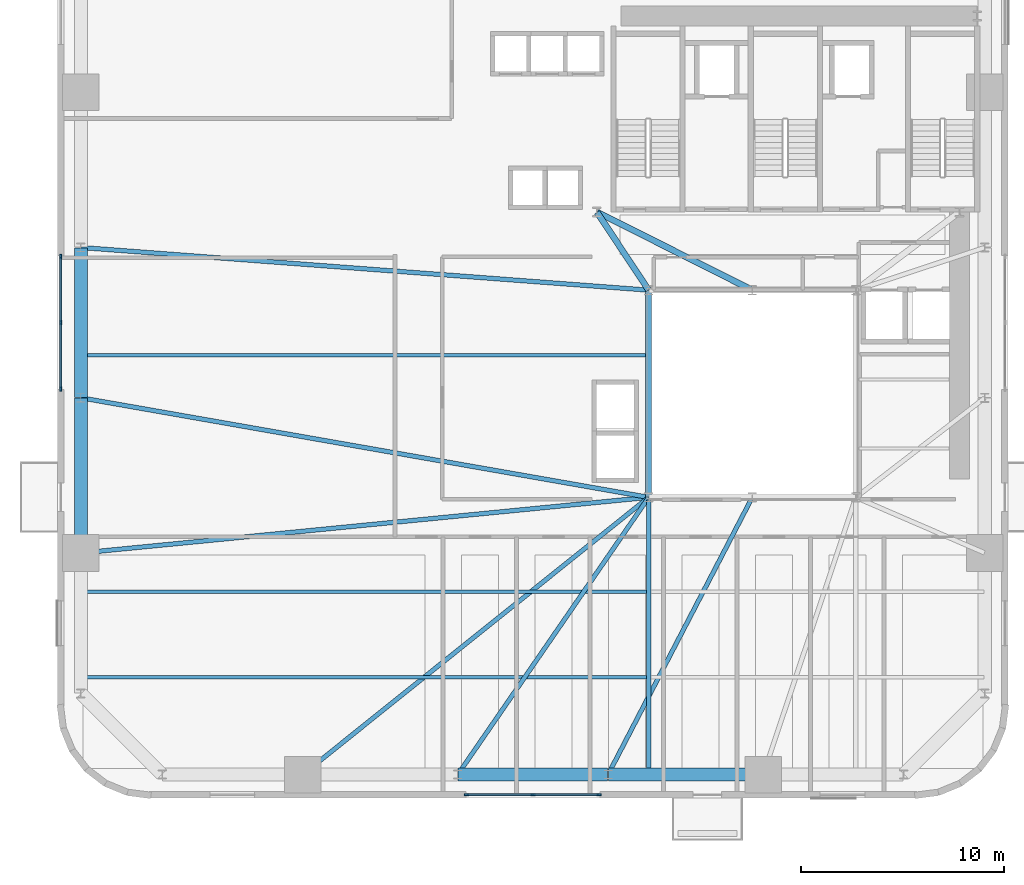
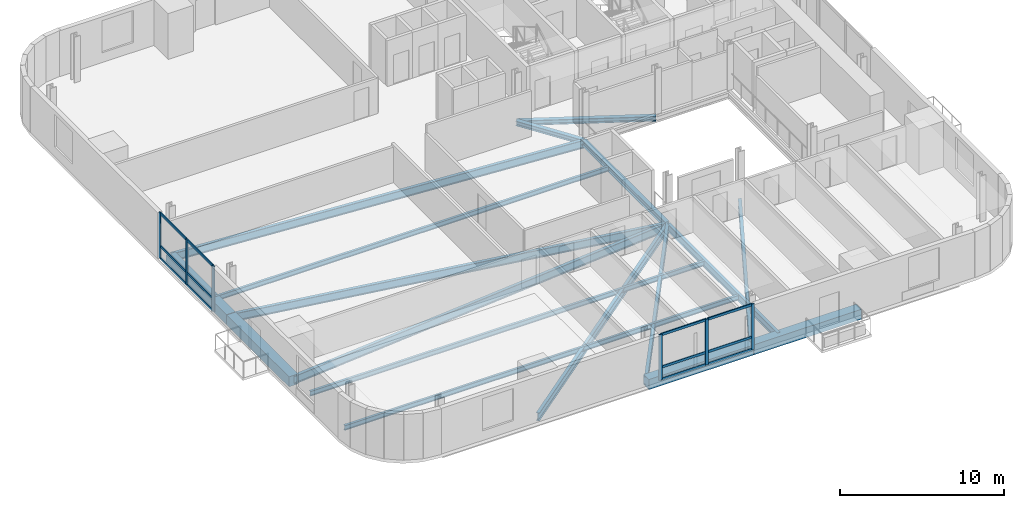
# One storey, part 2 of 12: 18 members, 17 beams, 2 elements without a shape of their own.
"""IFC4 building model written with IfcOpenShell, lengths in metres."""

from ifc_helpers import new_model, si_unit, direction, frame, origin, origin_2d, place, context, subcontext, project, spatial, rectangle, i_section, extrude, source, transform, mapped, material, material_profile, profile_set, type_object, element, aggregate, save


model = new_model("IFC4")

# Units and contexts
model_context = context("Model", 3, precision=1e-05, world=origin(), true_north=direction((0.0, 1.0)))
body_context = subcontext(model_context, "Body", "Model", "MODEL_VIEW")
ifc_project = project(units=[si_unit("LENGTHUNIT", "METRE"), si_unit("AREAUNIT", "SQUARE_METRE"), si_unit("VOLUMEUNIT", "CUBIC_METRE"), si_unit("PLANEANGLEUNIT", "RADIAN"), si_unit("MASSUNIT", "GRAM", prefix="KILO")], contexts=[model_context])

# Site, building, storey
site_placement = place(None, origin())
site = spatial("IfcSite", under=ifc_project, at=site_placement, CompositionType="ELEMENT")
building_placement = place(site_placement, origin())
building = spatial("IfcBuilding", under=site, at=building_placement, Name="Vardaveli Station Tower", CompositionType="ELEMENT")
storey_placement = place(building_placement, frame((0.0, 0.0, 60.449951171875)))
storey = spatial("IfcBuildingStorey", under=building, at=storey_placement, Name="L15", CompositionType="ELEMENT", Elevation=60.449951171875)

# Beams
ifc_material_1 = material(Name="Structural steel S355J2", Category="steel")
ifc_material_profile_1 = material_profile(ifc_material_1, i_section(OverallWidth=0.300048828125, OverallDepth=0.449951171875, WebThickness=0.013916015625, FlangeThickness=0.02587890625, FilletRadius=0.027099609375, at=origin_2d()), Name="HEB 450")
ifc_profile_set_1 = profile_set([ifc_material_profile_1], Name="Structural steel S355J2")
beam_type_1 = type_object("IfcBeamType", Name="BM-HEB450", PredefinedType="BEAM", material=ifc_profile_set_1)
shared_shape_1 = source(origin(), body_context, "Body", "SweptSolid", [
    extrude(i_section(OverallWidth=0.300048828125, OverallDepth=0.449951171875, WebThickness=0.013916015625, FlangeThickness=0.02587890625, FilletRadius=0.027099609375, at=origin_2d()), origin(), (0.0, 0.0, 1.0), 10.159912109375),
])
beam_1_placement = place(storey_placement, frame((31.199951171875, 26.780029296875, -0.46484375), z_axis=(0.0, -1.0, 0.0), x_axis=(1.0, 0.0, 0.0)))
element("IfcBeam", 1, at=beam_1_placement, inside=storey, type_object=beam_type_1, Name="ABM-L15-06", PredefinedType="BEAM", context=body_context, shape_type="MappedRepresentation", body=[
    mapped(shared_shape_1, transform((0.0, 0.0, 0.0), scale=1.0)),
])
ifc_material_profile_2 = material_profile(ifc_material_1, i_section(OverallWidth=0.300048828125, OverallDepth=0.360107421875, WebThickness=0.012451171875, FlangeThickness=0.0224609375, FilletRadius=0.027099609375, at=origin_2d()), Name="HEB 360")
ifc_profile_set_2 = profile_set([ifc_material_profile_2], Name="Structural steel S355J2")
beam_type_2 = type_object("IfcBeamType", Name="BM-HEB360", PredefinedType="BEAM", material=ifc_profile_set_2)
shared_shape_2 = source(origin(), body_context, "Body", "SweptSolid", [
    extrude(i_section(OverallWidth=0.300048828125, OverallDepth=0.360107421875, WebThickness=0.012451171875, FlangeThickness=0.0224609375, FilletRadius=0.027099609375, at=origin_2d()), origin(), (0.0, 0.0, 1.0), 4.577880859375),
])
beam_2_placement = place(storey_placement, frame((31.18896484375, 26.816650390625, -0.419921875), z_axis=(-0.55218702139, 0.833720272879, 0.0), x_axis=(-0.833720272879, -0.55218702139, 0.0)))
element("IfcBeam", 2, at=beam_2_placement, inside=storey, type_object=beam_type_2, Name="CBM-L15-01", PredefinedType="BEAM", context=body_context, shape_type="MappedRepresentation", body=[
    mapped(shared_shape_2, transform((0.0, 0.0, 0.0), scale=1.0)),
])
shared_shape_3 = source(origin(), body_context, "Body", "SweptSolid", [
    extrude(i_section(OverallWidth=0.300048828125, OverallDepth=0.360107421875, WebThickness=0.012451171875, FlangeThickness=0.0224609375, FilletRadius=0.027099609375, at=origin_2d()), origin(), (0.0, 0.0, 1.0), 8.524169921875),
])
beam_3_placement = place(storey_placement, frame((28.66796875, 30.64111328125, -0.419921875), z_axis=(0.893255584708, -0.449549174605, 0.0), x_axis=(0.449549174605, 0.893255584708, 0.0)))
element("IfcBeam", 3, at=beam_3_placement, inside=storey, type_object=beam_type_2, Name="CBM-L15-03", PredefinedType="BEAM", context=body_context, shape_type="MappedRepresentation", body=[
    mapped(shared_shape_3, transform((0.0, 0.0, 0.0), scale=1.0)),
])
ifc_material_2 = material(Name="Precast concrete C45/55", Category="concrete")
ifc_material_profile_3 = material_profile(ifc_material_2, rectangle(XDim=0.64990234375, YDim=0.75, at=origin_2d()), Name="LPB 650x750")
ifc_profile_set_3 = profile_set([ifc_material_profile_3], Name="Precast concrete C45/55")
beam_type_3 = type_object("IfcBeamType", Name="BM-LPB-750", PredefinedType="BEAM", material=ifc_profile_set_3)
shared_shape_4 = source(origin(), body_context, "Body", "SweptSolid", [
    extrude(rectangle(XDim=0.64990234375, YDim=0.75, at=origin_2d()), origin(), (0.0, 0.0, 1.0), 7.60009765625),
])
for number, where, z_axis, x_axis, name in (
    (4, (29.219970703125, 2.949951171875, -0.614990234375), (1.0, 0.0, 0.0), (0.0, 1.0, 0.0), "RBM-L15-03"),
    (5, (3.25, 21.47998046875, -0.614990234375), (0.0, -1.0, 0.0), (1.0, 0.0, 0.0), "RBM-L15-21"),
):
    element("IfcBeam", number, at=place(storey_placement, frame(where, z_axis=z_axis, x_axis=x_axis)), inside=storey, type_object=beam_type_3, Name=name, PredefinedType="BEAM", context=body_context, shape_type="MappedRepresentation", body=[
        mapped(shared_shape_4, transform((0.0, 0.0, 0.0), scale=1.0)),
    ])
shared_shape_5 = source(origin(), body_context, "Body", "SweptSolid", [
    extrude(rectangle(XDim=0.64990234375, YDim=0.75, at=origin_2d()), origin(), (0.0, 0.0, 1.0), 7.35986328125),
])
for number, where, z_axis, x_axis, name in (
    (6, (21.820068359375, 2.949951171875, -0.614990234375), (1.0, 0.0, 0.0), (0.0, 1.0, 0.0), "RBM-L15-02"),
    (7, (3.25, 28.8798828125, -0.614990234375), (0.0, -1.0, 0.0), (1.0, 0.0, 0.0), "RBM-L15-20"),
):
    element("IfcBeam", number, at=place(storey_placement, frame(where, z_axis=z_axis, x_axis=x_axis)), inside=storey, type_object=beam_type_3, Name=name, PredefinedType="BEAM", context=body_context, shape_type="MappedRepresentation", body=[
        mapped(shared_shape_5, transform((0.0, 0.0, 0.0), scale=1.0)),
    ])
ifc_material_profile_4 = material_profile(ifc_material_1, i_section(OverallWidth=0.219970703125, OverallDepth=0.60009765625, WebThickness=0.011962890625, FlangeThickness=0.01904296875, FilletRadius=0.02392578125, at=origin_2d()), Name="IPE 600")
ifc_profile_set_4 = profile_set([ifc_material_profile_4], Name="Structural steel S355J2")
beam_type_4 = type_object("IfcBeamType", Name="BM-IPE600", PredefinedType="BEAM", material=ifc_profile_set_4)
shared_shape_6 = source(origin(), body_context, "Body", "SweptSolid", [
    extrude(i_section(OverallWidth=0.219970703125, OverallDepth=0.60009765625, WebThickness=0.011962890625, FlangeThickness=0.01904296875, FilletRadius=0.02392578125, at=origin_2d()), origin(), (0.0, 0.0, 1.0), 21.793212890625),
])
beam_4_placement = place(storey_placement, frame((14.175537109375, 2.96240234375, -0.5400390625), z_axis=(0.780466445023, 0.625197671296, 0.0), x_axis=(-0.625197671296, 0.780466445023, 0.0)))
element("IfcBeam", 8, at=beam_4_placement, inside=storey, type_object=beam_type_4, Name="GBM-L15-01", PredefinedType="BEAM", context=body_context, shape_type="MappedRepresentation", body=[
    mapped(shared_shape_6, transform((0.0, 0.0, 0.0), scale=1.0)),
])
shared_shape_7 = source(origin(), body_context, "Body", "SweptSolid", [
    extrude(i_section(OverallWidth=0.219970703125, OverallDepth=0.60009765625, WebThickness=0.011962890625, FlangeThickness=0.01904296875, FilletRadius=0.02392578125, at=origin_2d()), origin(), (0.0, 0.0, 1.0), 16.533447265625),
])
beam_5_placement = place(storey_placement, frame((21.811279296875, 2.966552734375, -0.5400390625), z_axis=(0.567177272103, 0.823595739431, 0.0), x_axis=(-0.823595739431, 0.567177272103, 0.0)))
element("IfcBeam", 9, at=beam_5_placement, inside=storey, type_object=beam_type_4, Name="GBM-L15-02", PredefinedType="BEAM", context=body_context, shape_type="MappedRepresentation", body=[
    mapped(shared_shape_7, transform((0.0, 0.0, 0.0), scale=1.0)),
])
shared_shape_8 = source(origin(), body_context, "Body", "SweptSolid", [
    extrude(i_section(OverallWidth=0.219970703125, OverallDepth=0.60009765625, WebThickness=0.011962890625, FlangeThickness=0.01904296875, FilletRadius=0.02392578125, at=origin_2d()), origin(), (0.0, 0.0, 1.0), 15.34619140625),
])
beam_6_placement = place(storey_placement, frame((29.209228515625, 2.9677734375, -0.5400390625), z_axis=(0.461455420507, 0.887163398075, 0.0), x_axis=(-0.887163398075, 0.461455420507, 0.0)))
element("IfcBeam", 10, at=beam_6_placement, inside=storey, type_object=beam_type_4, Name="GBM-L15-03", PredefinedType="BEAM", context=body_context, shape_type="MappedRepresentation", body=[
    mapped(shared_shape_8, transform((0.0, 0.0, 0.0), scale=1.0)),
])
shared_shape_9 = source(origin(), body_context, "Body", "SweptSolid", [
    extrude(i_section(OverallWidth=0.219970703125, OverallDepth=0.60009765625, WebThickness=0.011962890625, FlangeThickness=0.01904296875, FilletRadius=0.02392578125, at=origin_2d()), origin(), (0.0, 0.0, 1.0), 27.98876953125),
])
beam_7_placement = place(storey_placement, frame((3.27001953125, 28.8984375, -0.5400390625), z_axis=(0.99718954315, -0.074920057611, 0.0), x_axis=(0.074920057611, 0.99718954315, 0.0)))
element("IfcBeam", 11, at=beam_7_placement, inside=storey, type_object=beam_type_4, Name="GBM-L15-08", PredefinedType="BEAM", context=body_context, shape_type="MappedRepresentation", body=[
    mapped(shared_shape_9, transform((0.0, 0.0, 0.0), scale=1.0)),
])
shared_shape_10 = source(origin(), body_context, "Body", "SweptSolid", [
    extrude(i_section(OverallWidth=0.219970703125, OverallDepth=0.60009765625, WebThickness=0.011962890625, FlangeThickness=0.01904296875, FilletRadius=0.02392578125, at=origin_2d()), origin(), (0.0, 0.0, 1.0), 28.33642578125),
])
beam_8_placement = place(storey_placement, frame((3.269775390625, 21.49658203125, -0.5400390625), z_axis=(0.984978267336, -0.172678350921, 0.0), x_axis=(0.172678350921, 0.984978267336, 0.0)))
element("IfcBeam", 12, at=beam_8_placement, inside=storey, type_object=beam_type_4, Name="GBM-L15-09", PredefinedType="BEAM", context=body_context, shape_type="MappedRepresentation", body=[
    mapped(shared_shape_10, transform((0.0, 0.0, 0.0), scale=1.0)),
])
shared_shape_11 = source(origin(), body_context, "Body", "SweptSolid", [
    extrude(i_section(OverallWidth=0.219970703125, OverallDepth=0.60009765625, WebThickness=0.011962890625, FlangeThickness=0.01904296875, FilletRadius=0.02392578125, at=origin_2d()), origin(), (0.0, 0.0, 1.0), 28.0439453125),
])
beam_9_placement = place(storey_placement, frame((3.27001953125, 13.862060546875, -0.5400390625), z_axis=(0.995229237856, 0.097564153855, 0.0), x_axis=(-0.097564153855, 0.995229237856, 0.0)))
element("IfcBeam", 13, at=beam_9_placement, inside=storey, type_object=beam_type_4, Name="GBM-L15-10", PredefinedType="BEAM", context=body_context, shape_type="MappedRepresentation", body=[
    mapped(shared_shape_11, transform((0.0, 0.0, 0.0), scale=1.0)),
])
ifc_material_profile_5 = material_profile(ifc_material_1, i_section(OverallWidth=0.2099609375, OverallDepth=0.550048828125, WebThickness=0.010986328125, FlangeThickness=0.01708984375, FilletRadius=0.02392578125, at=origin_2d()), Name="IPE 550")
ifc_profile_set_5 = profile_set([ifc_material_profile_5], Name="Structural steel S355J2")
beam_type_5 = type_object("IfcBeamType", Name="BM-IPE550", PredefinedType="BEAM", material=ifc_profile_set_5)
shared_shape_12 = source(origin(), body_context, "Body", "SweptSolid", [
    extrude(i_section(OverallWidth=0.2099609375, OverallDepth=0.550048828125, WebThickness=0.010986328125, FlangeThickness=0.01708984375, FilletRadius=0.02392578125, at=origin_2d()), origin(), (0.0, 0.0, 1.0), 13.469970703125),
])
beam_10_placement = place(storey_placement, frame((31.199951171875, 2.989990234375, -0.514892578125), z_axis=(0.0, 1.0, 0.0), x_axis=(-1.0, 0.0, 0.0)))
element("IfcBeam", 14, at=beam_10_placement, inside=storey, type_object=beam_type_5, Name="NSM-L15-S1", PredefinedType="BEAM", context=body_context, shape_type="MappedRepresentation", body=[
    mapped(shared_shape_12, transform((0.0, 0.0, 0.0), scale=1.0)),
])
ifc_material_profile_6 = material_profile(ifc_material_1, i_section(OverallWidth=0.169921875, OverallDepth=0.360107421875, WebThickness=0.008056640625, FlangeThickness=0.0126953125, FilletRadius=0.01806640625, at=origin_2d()), Name="IPE 360")
ifc_profile_set_6 = profile_set([ifc_material_profile_6], Name="Structural steel S355J2")
beam_type_6 = type_object("IfcBeamType", Name="BM-IPE360", PredefinedType="JOIST", material=ifc_profile_set_6)
shared_shape_13 = source(origin(), body_context, "Body", "SweptSolid", [
    extrude(i_section(OverallWidth=0.169921875, OverallDepth=0.360107421875, WebThickness=0.008056640625, FlangeThickness=0.0126953125, FilletRadius=0.01806640625, at=origin_2d()), origin(), (0.0, 0.0, 1.0), 27.7978515625),
])
for number, where, z_axis, x_axis, name in (
    (15, (3.2900390625, 7.75, -0.419921875), (1.0, 0.0, 0.0), (0.0, 1.0, 0.0), "SJ-L15-S01"),
    (16, (3.2900390625, 11.949951171875, -0.419921875), (1.0, 0.0, 0.0), (0.0, 1.0, 0.0), "SJ-L15-S04"),
    (17, (3.2900390625, 23.60009765625, -0.419921875), (1.0, 0.0, 0.0), (0.0, 1.0, 0.0), "SJ-L15-W08"),
):
    element("IfcBeam", number, at=place(storey_placement, frame(where, z_axis=z_axis, x_axis=x_axis)), inside=storey, type_object=beam_type_6, Name=name, PredefinedType="JOIST", context=body_context, shape_type="MappedRepresentation", body=[
        mapped(shared_shape_13, transform((0.0, 0.0, 0.0), scale=1.0)),
    ])

# Curtain wall, members
ifc_material_3 = material(Name="Travertine stone and solar-control glass", Category="masonry")
curtain_wall_type = type_object("IfcCurtainWallType", Name="CW-SYS-2", PredefinedType="NOTDEFINED", material=ifc_material_3)
curtain_wall_1_placement = place(storey_placement, origin())
curtain_wall_1 = element("IfcCurtainWall", 18, at=curtain_wall_1_placement, inside=storey, type_object=curtain_wall_type, Name="CW-L15-S", PredefinedType="NOTDEFINED")
ifc_material_4 = material(Name="Anodised aluminium alloy 6063-T6", Category="aluminium")
ifc_material_profile_7 = material_profile(ifc_material_4, rectangle(XDim=0.0849609375, YDim=0.179931640625, at=origin_2d()), Name="CWT 85x180")
ifc_profile_set_7 = profile_set([ifc_material_profile_7], Name="Anodised aluminium alloy 6063-T6")
member_type_1 = type_object("IfcMemberType", Name="CW-SYS-2-TRAN", PredefinedType="NOTDEFINED", material=ifc_profile_set_7)
shared_shape_14 = source(origin(), body_context, "Body", "SweptSolid", [
    extrude(rectangle(XDim=0.0849609375, YDim=0.179931640625, at=origin_2d()), origin(), (0.0, 0.0, 1.0), 3.172607421875),
])
member_1_placement = place(storey_placement, frame((22.284912109375, 1.9599609375, 0.04248046875), z_axis=(1.0, 0.0, 0.0), x_axis=(0.0, 1.0, 0.0)))
member_1 = element("IfcMember", 19, at=member_1_placement, type_object=member_type_1, Name="CW-2 transom 1.1", ObjectType="TRANSOM", PredefinedType="USERDEFINED", context=body_context, shape_type="MappedRepresentation", body=[
    mapped(shared_shape_14, transform((0.0, 0.0, 0.0), scale=1.0)),
])
member_2_placement = place(storey_placement, frame((22.284912109375, 1.9599609375, 0.949951171875), z_axis=(1.0, 0.0, 0.0), x_axis=(0.0, 1.0, 0.0)))
member_2 = element("IfcMember", 20, at=member_2_placement, type_object=member_type_1, Name="CW-2 transom 1.2", ObjectType="TRANSOM", PredefinedType="USERDEFINED", context=body_context, shape_type="MappedRepresentation", body=[
    mapped(shared_shape_14, transform((0.0, 0.0, 0.0), scale=1.0)),
])
member_3_placement = place(storey_placement, frame((22.284912109375, 1.9599609375, 3.367431640625), z_axis=(1.0, 0.0, 0.0), x_axis=(0.0, 1.0, 0.0)))
member_3 = element("IfcMember", 21, at=member_3_placement, type_object=member_type_1, Name="CW-2 transom 1.3", ObjectType="TRANSOM", PredefinedType="USERDEFINED", context=body_context, shape_type="MappedRepresentation", body=[
    mapped(shared_shape_14, transform((0.0, 0.0, 0.0), scale=1.0)),
])
member_4_placement = place(storey_placement, frame((25.54248046875, 1.9599609375, 0.04248046875), z_axis=(1.0, 0.0, 0.0), x_axis=(0.0, 1.0, 0.0)))
member_4 = element("IfcMember", 22, at=member_4_placement, type_object=member_type_1, Name="CW-2 transom 2.1", ObjectType="TRANSOM", PredefinedType="USERDEFINED", context=body_context, shape_type="MappedRepresentation", body=[
    mapped(shared_shape_14, transform((0.0, 0.0, 0.0), scale=1.0)),
])
member_5_placement = place(storey_placement, frame((25.54248046875, 1.9599609375, 0.949951171875), z_axis=(1.0, 0.0, 0.0), x_axis=(0.0, 1.0, 0.0)))
member_5 = element("IfcMember", 23, at=member_5_placement, type_object=member_type_1, Name="CW-2 transom 2.2", ObjectType="TRANSOM", PredefinedType="USERDEFINED", context=body_context, shape_type="MappedRepresentation", body=[
    mapped(shared_shape_14, transform((0.0, 0.0, 0.0), scale=1.0)),
])
member_6_placement = place(storey_placement, frame((25.54248046875, 1.9599609375, 3.367431640625), z_axis=(1.0, 0.0, 0.0), x_axis=(0.0, 1.0, 0.0)))
member_6 = element("IfcMember", 24, at=member_6_placement, type_object=member_type_1, Name="CW-2 transom 2.3", ObjectType="TRANSOM", PredefinedType="USERDEFINED", context=body_context, shape_type="MappedRepresentation", body=[
    mapped(shared_shape_14, transform((0.0, 0.0, 0.0), scale=1.0)),
])

curtain_wall_2_placement = place(storey_placement, origin())
curtain_wall_2 = element("IfcCurtainWall", 25, at=curtain_wall_2_placement, inside=storey, type_object=curtain_wall_type, Name="CW-L15-W", PredefinedType="NOTDEFINED")
member_7_placement = place(storey_placement, frame((2.260009765625, 28.4150390625, 0.04248046875), z_axis=(0.0, -1.0, 0.0), x_axis=(1.0, 0.0, 0.0)))
member_7 = element("IfcMember", 26, at=member_7_placement, type_object=member_type_1, Name="CW-2 transom 1.1", ObjectType="TRANSOM", PredefinedType="USERDEFINED", context=body_context, shape_type="MappedRepresentation", body=[
    mapped(shared_shape_14, transform((0.0, 0.0, 0.0), scale=1.0)),
])
member_8_placement = place(storey_placement, frame((2.260009765625, 28.4150390625, 0.949951171875), z_axis=(0.0, -1.0, 0.0), x_axis=(1.0, 0.0, 0.0)))
member_8 = element("IfcMember", 27, at=member_8_placement, type_object=member_type_1, Name="CW-2 transom 1.2", ObjectType="TRANSOM", PredefinedType="USERDEFINED", context=body_context, shape_type="MappedRepresentation", body=[
    mapped(shared_shape_14, transform((0.0, 0.0, 0.0), scale=1.0)),
])
member_9_placement = place(storey_placement, frame((2.260009765625, 28.4150390625, 3.367431640625), z_axis=(0.0, -1.0, 0.0), x_axis=(1.0, 0.0, 0.0)))
member_9 = element("IfcMember", 28, at=member_9_placement, type_object=member_type_1, Name="CW-2 transom 1.3", ObjectType="TRANSOM", PredefinedType="USERDEFINED", context=body_context, shape_type="MappedRepresentation", body=[
    mapped(shared_shape_14, transform((0.0, 0.0, 0.0), scale=1.0)),
])
shared_shape_15 = source(origin(), body_context, "Body", "SweptSolid", [
    extrude(rectangle(XDim=0.0849609375, YDim=0.179931640625, at=origin_2d()), origin(), (0.0, 0.0, 1.0), 3.17236328125),
])
member_10_placement = place(storey_placement, frame((2.260009765625, 25.157470703125, 0.04248046875), z_axis=(0.0, -1.0, 0.0), x_axis=(1.0, 0.0, 0.0)))
member_10 = element("IfcMember", 29, at=member_10_placement, type_object=member_type_1, Name="CW-2 transom 2.1", ObjectType="TRANSOM", PredefinedType="USERDEFINED", context=body_context, shape_type="MappedRepresentation", body=[
    mapped(shared_shape_15, transform((0.0, 0.0, 0.0), scale=1.0)),
])
member_11_placement = place(storey_placement, frame((2.260009765625, 25.157470703125, 0.949951171875), z_axis=(0.0, -1.0, 0.0), x_axis=(1.0, 0.0, 0.0)))
member_11 = element("IfcMember", 30, at=member_11_placement, type_object=member_type_1, Name="CW-2 transom 2.2", ObjectType="TRANSOM", PredefinedType="USERDEFINED", context=body_context, shape_type="MappedRepresentation", body=[
    mapped(shared_shape_15, transform((0.0, 0.0, 0.0), scale=1.0)),
])
member_12_placement = place(storey_placement, frame((2.260009765625, 25.157470703125, 3.367431640625), z_axis=(0.0, -1.0, 0.0), x_axis=(1.0, 0.0, 0.0)))
member_12 = element("IfcMember", 31, at=member_12_placement, type_object=member_type_1, Name="CW-2 transom 2.3", ObjectType="TRANSOM", PredefinedType="USERDEFINED", context=body_context, shape_type="MappedRepresentation", body=[
    mapped(shared_shape_15, transform((0.0, 0.0, 0.0), scale=1.0)),
])

# Member
ifc_material_profile_8 = material_profile(ifc_material_4, rectangle(XDim=0.0849609375, YDim=0.219970703125, at=origin_2d()), Name="CWM 85x220")
ifc_profile_set_8 = profile_set([ifc_material_profile_8], Name="Anodised aluminium alloy 6063-T6")
member_type_2 = type_object("IfcMemberType", Name="CW-SYS-2-MULL", PredefinedType="MULLION", material=ifc_profile_set_8)
shared_shape_16 = source(origin(), body_context, "Body", "SweptSolid", [
    extrude(rectangle(XDim=0.0849609375, YDim=0.219970703125, at=origin_2d()), origin(), (0.0, 0.0, 1.0), 3.41015625),
])
member_13_placement = place(storey_placement, frame((22.242431640625, 1.9599609375, 0.0), z_axis=(0.0, 0.0, 1.0), x_axis=(0.0, 1.0, 0.0)))
member_13 = element("IfcMember", 32, at=member_13_placement, type_object=member_type_2, Name="CW-2 mullion 1", PredefinedType="MULLION", context=body_context, shape_type="MappedRepresentation", body=[
    mapped(shared_shape_16, transform((0.0, 0.0, 0.0), scale=1.0)),
])

member_14_placement = place(storey_placement, frame((25.5, 1.9599609375, 0.0), z_axis=(0.0, 0.0, 1.0), x_axis=(0.0, 1.0, 0.0)))
member_14 = element("IfcMember", 33, at=member_14_placement, type_object=member_type_2, Name="CW-2 mullion 2", PredefinedType="MULLION", context=body_context, shape_type="MappedRepresentation", body=[
    mapped(shared_shape_16, transform((0.0, 0.0, 0.0), scale=1.0)),
])

member_15_placement = place(storey_placement, frame((28.757568359375, 1.9599609375, 0.0), z_axis=(0.0, 0.0, 1.0), x_axis=(0.0, 1.0, 0.0)))
member_15 = element("IfcMember", 34, at=member_15_placement, type_object=member_type_2, Name="CW-2 mullion 3", PredefinedType="MULLION", context=body_context, shape_type="MappedRepresentation", body=[
    mapped(shared_shape_16, transform((0.0, 0.0, 0.0), scale=1.0)),
])

aggregate(curtain_wall_1, [member_13, member_14, member_15, member_1, member_2, member_3, member_4, member_5, member_6])

member_16_placement = place(storey_placement, frame((2.260009765625, 28.45751953125, 0.0), z_axis=(0.0, 0.0, 1.0), x_axis=(1.0, 0.0, 0.0)))
member_16 = element("IfcMember", 35, at=member_16_placement, type_object=member_type_2, Name="CW-2 mullion 1", PredefinedType="MULLION", context=body_context, shape_type="MappedRepresentation", body=[
    mapped(shared_shape_16, transform((0.0, 0.0, 0.0), scale=1.0)),
])

member_17_placement = place(storey_placement, frame((2.260009765625, 25.199951171875, 0.0), z_axis=(0.0, 0.0, 1.0), x_axis=(1.0, 0.0, 0.0)))
member_17 = element("IfcMember", 36, at=member_17_placement, type_object=member_type_2, Name="CW-2 mullion 2", PredefinedType="MULLION", context=body_context, shape_type="MappedRepresentation", body=[
    mapped(shared_shape_16, transform((0.0, 0.0, 0.0), scale=1.0)),
])

member_18_placement = place(storey_placement, frame((2.260009765625, 21.9423828125, 0.0), z_axis=(0.0, 0.0, 1.0), x_axis=(1.0, 0.0, 0.0)))
member_18 = element("IfcMember", 37, at=member_18_placement, type_object=member_type_2, Name="CW-2 mullion 3", PredefinedType="MULLION", context=body_context, shape_type="MappedRepresentation", body=[
    mapped(shared_shape_16, transform((0.0, 0.0, 0.0), scale=1.0)),
])

aggregate(curtain_wall_2, [member_16, member_17, member_18, member_7, member_8, member_9, member_10, member_11, member_12])

save(model, "model.ifc")
